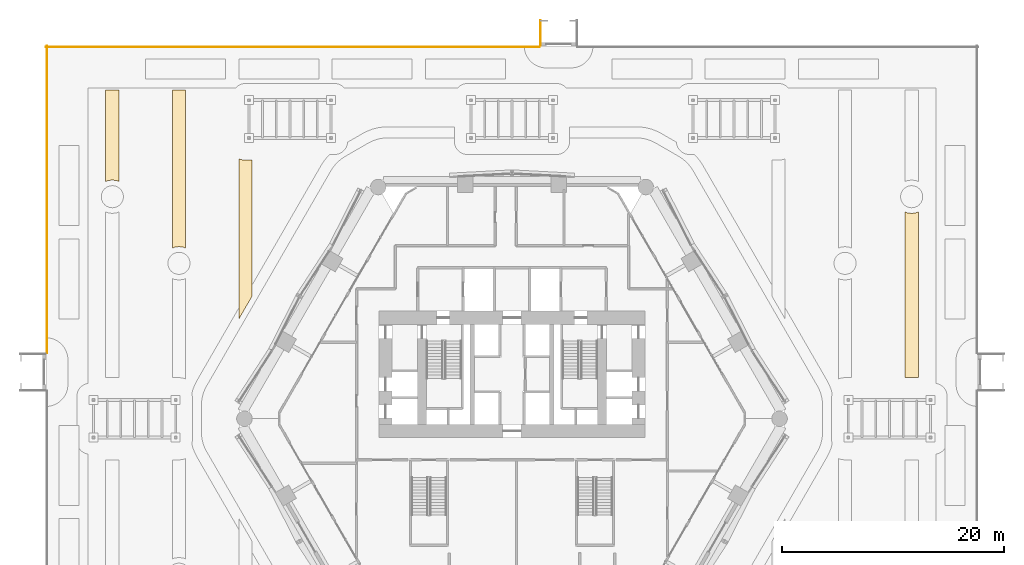
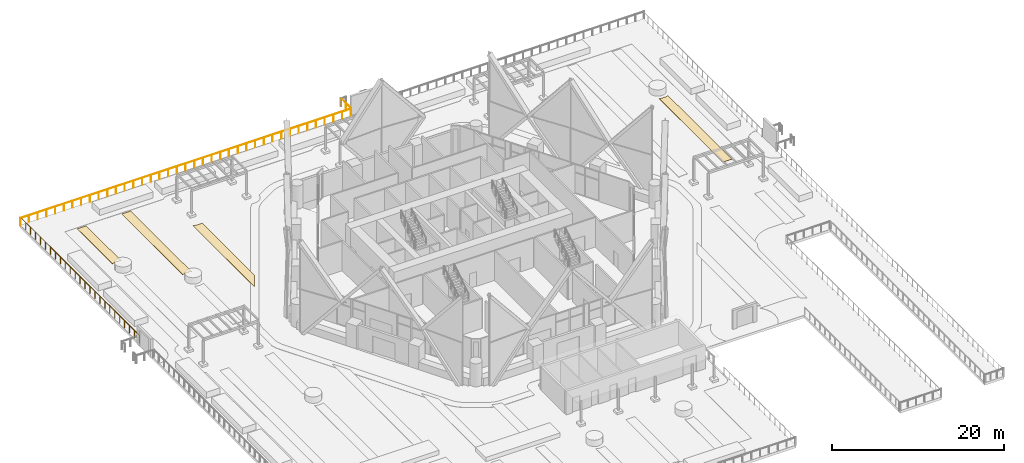
# One storey, part 70 of 71: 4 coverings, 3 railings.
"""IFC4 building model written with IfcOpenShell, lengths in metres."""

from ifc_helpers import new_model, si_unit, direction, frame, origin, origin_2d, place, context, subcontext, project, spatial, polyline, circle, outline, extrude, material, layer, layer_set, type_object, element, save


model = new_model("IFC4")

# Units and contexts
model_context = context("Model", 3, precision=1e-05, world=origin(), true_north=direction((0.0, 1.0)))
body_context = subcontext(model_context, "Body", "Model", "MODEL_VIEW")
ifc_project = project(units=[si_unit("LENGTHUNIT", "METRE"), si_unit("AREAUNIT", "SQUARE_METRE"), si_unit("VOLUMEUNIT", "CUBIC_METRE"), si_unit("PLANEANGLEUNIT", "RADIAN"), si_unit("MASSUNIT", "GRAM", prefix="KILO")], contexts=[model_context])

# Site, building, storey
site_placement = place(None, origin())
site = spatial("IfcSite", under=ifc_project, at=site_placement, CompositionType="ELEMENT")
building_placement = place(site_placement, origin())
building = spatial("IfcBuilding", under=site, at=building_placement, Name="Ostrander Bayou Hotel Tower", CompositionType="ELEMENT")
storey_placement = place(building_placement, frame((0.0, 0.0, 10.0)))
storey = spatial("IfcBuildingStorey", under=building, at=storey_placement, Name="L02", CompositionType="ELEMENT", Elevation=10.0)

# Coverings
ifc_material_1 = material(Name="Granite paving on bedding", Category="masonry")
ifc_layer = layer(ifc_material_1, 0.030029296875)
ifc_layer_set = layer_set([ifc_layer], Name="CV6 paving band 30 mm")
covering_type = type_object("IfcCoveringType", Name="CV6 paving band 30 mm", PredefinedType="FLOORING", material=ifc_layer_set)
covering_1_placement = place(storey_placement, origin())
element("IfcCovering", 1, at=covering_1_placement, inside=storey, type_object=covering_type, Name="PAVING STRIPE 3", PredefinedType="FLOORING", context=body_context, shape_type="SweptSolid", body=[
    extrude(outline(polyline([(-36.60009765625, 29.60009765625), (-35.39990234375, 29.60009765625), (-35.39990234375, 21.36572265625), (-35.5498046875, 21.427978515625), (-35.5908203125, 21.44287109375), (-35.633056640625, 21.4541015625), (-35.67578125, 21.461669921875), (-35.934814453125, 21.49560546875), (-35.978271484375, 21.49951171875), (-36.021728515625, 21.49951171875), (-36.065185546875, 21.49560546875), (-36.32421875, 21.461669921875), (-36.366943359375, 21.4541015625), (-36.4091796875, 21.44287109375), (-36.4501953125, 21.427978515625), (-36.60009765625, 21.36572265625), (-36.60009765625, 29.60009765625)])), origin(), (0.0, 0.0, 1.0), 0.030029296875),
])
covering_2_placement = place(storey_placement, origin())
element("IfcCovering", 2, at=covering_2_placement, inside=storey, type_object=covering_type, Name="PAVING STRIPE 8", PredefinedType="FLOORING", context=body_context, shape_type="SweptSolid", body=[
    extrude(outline(polyline([(-30.60009765625, 29.60009765625), (-29.39990234375, 29.60009765625), (-29.39990234375, 15.36572265625), (-29.5498046875, 15.427978515625), (-29.5908203125, 15.44287109375), (-29.633056640625, 15.4541015625), (-29.67578125, 15.461669921875), (-29.934814453125, 15.49560546875), (-29.978271484375, 15.49951171875), (-30.021728515625, 15.49951171875), (-30.065185546875, 15.49560546875), (-30.32421875, 15.461669921875), (-30.366943359375, 15.4541015625), (-30.4091796875, 15.44287109375), (-30.4501953125, 15.427978515625), (-30.60009765625, 15.36572265625), (-30.60009765625, 29.60009765625)])), origin(), (0.0, 0.0, 1.0), 0.030029296875),
])
covering_3_placement = place(storey_placement, origin())
element("IfcCovering", 3, at=covering_3_placement, inside=storey, type_object=covering_type, Name="PAVING STRIPE 11", PredefinedType="FLOORING", context=body_context, shape_type="SweptSolid", body=[
    extrude(outline(polyline([(-23.39990234375, 11.070068359375), (-24.60009765625, 8.99169921875), (-24.60009765625, 23.41064453125), (-24.516845703125, 23.380859375), (-24.4697265625, 23.36669921875), (-24.355712890625, 23.337890625), (-24.3076171875, 23.32861328125), (-24.19091796875, 23.311279296875), (-24.14208984375, 23.306396484375), (-24.0244140625, 23.300537109375), (-24.0, 23.300048828125), (-23.39990234375, 23.300048828125), (-23.39990234375, 11.070068359375)])), origin(), (0.0, 0.0, 1.0), 0.030029296875),
])
covering_4_placement = place(storey_placement, origin())
element("IfcCovering", 4, at=covering_4_placement, inside=storey, type_object=covering_type, Name="PAVING STRIPE 25", PredefinedType="FLOORING", context=body_context, shape_type="SweptSolid", body=[
    extrude(outline(polyline([(36.60009765625, 3.699951171875), (35.39990234375, 3.699951171875), (35.39990234375, 18.63427734375), (35.5498046875, 18.572021484375), (35.5908203125, 18.55712890625), (35.633056640625, 18.5458984375), (35.67578125, 18.538330078125), (35.934814453125, 18.50439453125), (35.978271484375, 18.50048828125), (36.021728515625, 18.50048828125), (36.065185546875, 18.50439453125), (36.32421875, 18.538330078125), (36.366943359375, 18.5458984375), (36.4091796875, 18.55712890625), (36.4501953125, 18.572021484375), (36.60009765625, 18.63427734375), (36.60009765625, 3.699951171875)])), origin(), (0.0, 0.0, 1.0), 0.030029296875),
])

# Railings
ifc_material_2 = material(Name="Stainless steel and clear glass", Category="steel")
railing_type = type_object("IfcRailingType", Name="GR1 guard 1100 mm", PredefinedType="GUARDRAIL", material=ifc_material_2)
railing_1_placement = place(storey_placement, frame((-41.89990234375, 33.60009765625, 0.0)))
element("IfcRailing", 5, at=railing_1_placement, inside=storey, type_object=railing_type, Name="GR1 deck guard 1", PredefinedType="GUARDRAIL", context=body_context, shape_type="SweptSolid", body=[
    extrude(circle(Radius=0.02490234375, at=origin_2d()), frame((0.0, 0.0, 1.0751953125), z_axis=(0.0, -1.0, 0.0), x_axis=(1.0, 0.0, 0.0)), (0.0, 0.0, 1.0), 27.7001953125),
    extrude(circle(Radius=0.02001953125, at=origin_2d()), origin(), (0.0, 0.0, 1.0), 1.050048828125),
    extrude(circle(Radius=0.02001953125, at=origin_2d()), frame((0.0, -1.154296875, 0.0)), (0.0, 0.0, 1.0), 1.050048828125),
    extrude(circle(Radius=0.02001953125, at=origin_2d()), frame((0.0, -2.308349609375, 0.0)), (0.0, 0.0, 1.0), 1.050048828125),
    extrude(circle(Radius=0.02001953125, at=origin_2d()), frame((0.0, -3.46240234375, 0.0)), (0.0, 0.0, 1.0), 1.050048828125),
    extrude(circle(Radius=0.02001953125, at=origin_2d()), frame((0.0, -4.61669921875, 0.0)), (0.0, 0.0, 1.0), 1.050048828125),
    extrude(circle(Radius=0.02001953125, at=origin_2d()), frame((0.0, -5.77099609375, 0.0)), (0.0, 0.0, 1.0), 1.050048828125),
    extrude(circle(Radius=0.02001953125, at=origin_2d()), frame((0.0, -6.925048828125, 0.0)), (0.0, 0.0, 1.0), 1.050048828125),
    extrude(circle(Radius=0.02001953125, at=origin_2d()), frame((0.0, -8.0791015625, 0.0)), (0.0, 0.0, 1.0), 1.050048828125),
    extrude(circle(Radius=0.02001953125, at=origin_2d()), frame((0.0, -9.2333984375, 0.0)), (0.0, 0.0, 1.0), 1.050048828125),
    extrude(circle(Radius=0.02001953125, at=origin_2d()), frame((0.0, -10.3876953125, 0.0)), (0.0, 0.0, 1.0), 1.050048828125),
    extrude(circle(Radius=0.02001953125, at=origin_2d()), frame((0.0, -11.541748046875, 0.0)), (0.0, 0.0, 1.0), 1.050048828125),
    extrude(circle(Radius=0.02001953125, at=origin_2d()), frame((0.0, -12.69580078125, 0.0)), (0.0, 0.0, 1.0), 1.050048828125),
    extrude(circle(Radius=0.02001953125, at=origin_2d()), frame((0.0, -13.85009765625, 0.0)), (0.0, 0.0, 1.0), 1.050048828125),
    extrude(circle(Radius=0.02001953125, at=origin_2d()), frame((0.0, -15.004150390625, 0.0)), (0.0, 0.0, 1.0), 1.050048828125),
    extrude(circle(Radius=0.02001953125, at=origin_2d()), frame((0.0, -16.158447265625, 0.0)), (0.0, 0.0, 1.0), 1.050048828125),
    extrude(circle(Radius=0.02001953125, at=origin_2d()), frame((0.0, -17.3125, 0.0)), (0.0, 0.0, 1.0), 1.050048828125),
    extrude(circle(Radius=0.02001953125, at=origin_2d()), frame((0.0, -18.466796875, 0.0)), (0.0, 0.0, 1.0), 1.050048828125),
    extrude(circle(Radius=0.02001953125, at=origin_2d()), frame((0.0, -19.62109375, 0.0)), (0.0, 0.0, 1.0), 1.050048828125),
    extrude(circle(Radius=0.02001953125, at=origin_2d()), frame((0.0, -20.775146484375, 0.0)), (0.0, 0.0, 1.0), 1.050048828125),
    extrude(circle(Radius=0.02001953125, at=origin_2d()), frame((0.0, -21.92919921875, 0.0)), (0.0, 0.0, 1.0), 1.050048828125),
    extrude(circle(Radius=0.02001953125, at=origin_2d()), frame((0.0, -23.08349609375, 0.0)), (0.0, 0.0, 1.0), 1.050048828125),
    extrude(circle(Radius=0.02001953125, at=origin_2d()), frame((0.0, -24.23779296875, 0.0)), (0.0, 0.0, 1.0), 1.050048828125),
    extrude(circle(Radius=0.02001953125, at=origin_2d()), frame((0.0, -25.391845703125, 0.0)), (0.0, 0.0, 1.0), 1.050048828125),
    extrude(circle(Radius=0.02001953125, at=origin_2d()), frame((0.0, -26.5458984375, 0.0)), (0.0, 0.0, 1.0), 1.050048828125),
    extrude(circle(Radius=0.02001953125, at=origin_2d()), frame((0.0, -27.7001953125, 0.0)), (0.0, 0.0, 1.0), 1.050048828125),
])
railing_2_placement = place(storey_placement, frame((2.5, 33.5, 0.0)))
element("IfcRailing", 6, at=railing_2_placement, inside=storey, type_object=railing_type, Name="GR1 deck guard 15", PredefinedType="GUARDRAIL", context=body_context, shape_type="SweptSolid", body=[
    extrude(circle(Radius=0.02490234375, at=origin_2d()), frame((0.0, 0.0, 1.0751953125), z_axis=(-1.0, 0.0, 0.0), x_axis=(0.0, -1.0, 0.0)), (0.0, 0.0, 1.0), 44.5),
    extrude(circle(Radius=0.02001953125, at=origin_2d()), origin(), (0.0, 0.0, 1.0), 1.050048828125),
    extrude(circle(Radius=0.02001953125, at=origin_2d()), frame((-1.171142578125, 0.0, 0.0)), (0.0, 0.0, 1.0), 1.050048828125),
    extrude(circle(Radius=0.02001953125, at=origin_2d()), frame((-2.342041015625, 0.0, 0.0)), (0.0, 0.0, 1.0), 1.050048828125),
    extrude(circle(Radius=0.02001953125, at=origin_2d()), frame((-3.51318359375, 0.0, 0.0)), (0.0, 0.0, 1.0), 1.050048828125),
    extrude(circle(Radius=0.02001953125, at=origin_2d()), frame((-4.684326171875, 0.0, 0.0)), (0.0, 0.0, 1.0), 1.050048828125),
    extrude(circle(Radius=0.02001953125, at=origin_2d()), frame((-5.855224609375, 0.0, 0.0)), (0.0, 0.0, 1.0), 1.050048828125),
    extrude(circle(Radius=0.02001953125, at=origin_2d()), frame((-7.0263671875, 0.0, 0.0)), (0.0, 0.0, 1.0), 1.050048828125),
    extrude(circle(Radius=0.02001953125, at=origin_2d()), frame((-8.197265625, 0.0, 0.0)), (0.0, 0.0, 1.0), 1.050048828125),
    extrude(circle(Radius=0.02001953125, at=origin_2d()), frame((-9.368408203125, 0.0, 0.0)), (0.0, 0.0, 1.0), 1.050048828125),
    extrude(circle(Radius=0.02001953125, at=origin_2d()), frame((-10.53955078125, 0.0, 0.0)), (0.0, 0.0, 1.0), 1.050048828125),
    extrude(circle(Radius=0.02001953125, at=origin_2d()), frame((-11.71044921875, 0.0, 0.0)), (0.0, 0.0, 1.0), 1.050048828125),
    extrude(circle(Radius=0.02001953125, at=origin_2d()), frame((-12.881591796875, 0.0, 0.0)), (0.0, 0.0, 1.0), 1.050048828125),
    extrude(circle(Radius=0.02001953125, at=origin_2d()), frame((-14.052734375, 0.0, 0.0)), (0.0, 0.0, 1.0), 1.050048828125),
    extrude(circle(Radius=0.02001953125, at=origin_2d()), frame((-15.2236328125, 0.0, 0.0)), (0.0, 0.0, 1.0), 1.050048828125),
    extrude(circle(Radius=0.02001953125, at=origin_2d()), frame((-16.394775390625, 0.0, 0.0)), (0.0, 0.0, 1.0), 1.050048828125),
    extrude(circle(Radius=0.02001953125, at=origin_2d()), frame((-17.565673828125, 0.0, 0.0)), (0.0, 0.0, 1.0), 1.050048828125),
    extrude(circle(Radius=0.02001953125, at=origin_2d()), frame((-18.73681640625, 0.0, 0.0)), (0.0, 0.0, 1.0), 1.050048828125),
    extrude(circle(Radius=0.02001953125, at=origin_2d()), frame((-19.907958984375, 0.0, 0.0)), (0.0, 0.0, 1.0), 1.050048828125),
    extrude(circle(Radius=0.02001953125, at=origin_2d()), frame((-21.078857421875, 0.0, 0.0)), (0.0, 0.0, 1.0), 1.050048828125),
    extrude(circle(Radius=0.02001953125, at=origin_2d()), frame((-22.25, 0.0, 0.0)), (0.0, 0.0, 1.0), 1.050048828125),
    extrude(circle(Radius=0.02001953125, at=origin_2d()), frame((-23.421142578125, 0.0, 0.0)), (0.0, 0.0, 1.0), 1.050048828125),
    extrude(circle(Radius=0.02001953125, at=origin_2d()), frame((-24.592041015625, 0.0, 0.0)), (0.0, 0.0, 1.0), 1.050048828125),
    extrude(circle(Radius=0.02001953125, at=origin_2d()), frame((-25.76318359375, 0.0, 0.0)), (0.0, 0.0, 1.0), 1.050048828125),
    extrude(circle(Radius=0.02001953125, at=origin_2d()), frame((-26.934326171875, 0.0, 0.0)), (0.0, 0.0, 1.0), 1.050048828125),
    extrude(circle(Radius=0.02001953125, at=origin_2d()), frame((-28.105224609375, 0.0, 0.0)), (0.0, 0.0, 1.0), 1.050048828125),
    extrude(circle(Radius=0.02001953125, at=origin_2d()), frame((-29.2763671875, 0.0, 0.0)), (0.0, 0.0, 1.0), 1.050048828125),
    extrude(circle(Radius=0.02001953125, at=origin_2d()), frame((-30.447265625, 0.0, 0.0)), (0.0, 0.0, 1.0), 1.050048828125),
    extrude(circle(Radius=0.02001953125, at=origin_2d()), frame((-31.618408203125, 0.0, 0.0)), (0.0, 0.0, 1.0), 1.050048828125),
    extrude(circle(Radius=0.02001953125, at=origin_2d()), frame((-32.78955078125, 0.0, 0.0)), (0.0, 0.0, 1.0), 1.050048828125),
    extrude(circle(Radius=0.02001953125, at=origin_2d()), frame((-33.96044921875, 0.0, 0.0)), (0.0, 0.0, 1.0), 1.050048828125),
    extrude(circle(Radius=0.02001953125, at=origin_2d()), frame((-35.131591796875, 0.0, 0.0)), (0.0, 0.0, 1.0), 1.050048828125),
    extrude(circle(Radius=0.02001953125, at=origin_2d()), frame((-36.302734375, 0.0, 0.0)), (0.0, 0.0, 1.0), 1.050048828125),
    extrude(circle(Radius=0.02001953125, at=origin_2d()), frame((-37.4736328125, 0.0, 0.0)), (0.0, 0.0, 1.0), 1.050048828125),
    extrude(circle(Radius=0.02001953125, at=origin_2d()), frame((-38.644775390625, 0.0, 0.0)), (0.0, 0.0, 1.0), 1.050048828125),
    extrude(circle(Radius=0.02001953125, at=origin_2d()), frame((-39.815673828125, 0.0, 0.0)), (0.0, 0.0, 1.0), 1.050048828125),
    extrude(circle(Radius=0.02001953125, at=origin_2d()), frame((-40.98681640625, 0.0, 0.0)), (0.0, 0.0, 1.0), 1.050048828125),
    extrude(circle(Radius=0.02001953125, at=origin_2d()), frame((-42.157958984375, 0.0, 0.0)), (0.0, 0.0, 1.0), 1.050048828125),
    extrude(circle(Radius=0.02001953125, at=origin_2d()), frame((-43.328857421875, 0.0, 0.0)), (0.0, 0.0, 1.0), 1.050048828125),
    extrude(circle(Radius=0.02001953125, at=origin_2d()), frame((-44.5, 0.0, 0.0)), (0.0, 0.0, 1.0), 1.050048828125),
])
railing_3_placement = place(storey_placement, frame((2.550048828125, 33.60009765625, 0.0)))
element("IfcRailing", 7, at=railing_3_placement, inside=storey, type_object=railing_type, Name="GR1 landing guard NR", PredefinedType="GUARDRAIL", context=body_context, shape_type="SweptSolid", body=[
    extrude(circle(Radius=0.02490234375, at=origin_2d()), frame((0.0, 0.0, 1.0751953125), z_axis=(0.0, 1.0, 0.0), x_axis=(-1.0, 0.0, 0.0)), (0.0, 0.0, 1.0), 2.2998046875),
    extrude(circle(Radius=0.02001953125, at=origin_2d()), origin(), (0.0, 0.0, 1.0), 1.050048828125),
    extrude(circle(Radius=0.02001953125, at=origin_2d()), frame((0.0, 1.14990234375, 0.0)), (0.0, 0.0, 1.0), 1.050048828125),
    extrude(circle(Radius=0.02001953125, at=origin_2d()), frame((0.0, 2.2998046875, 0.0)), (0.0, 0.0, 1.0), 1.050048828125),
])

save(model, "model.ifc")
